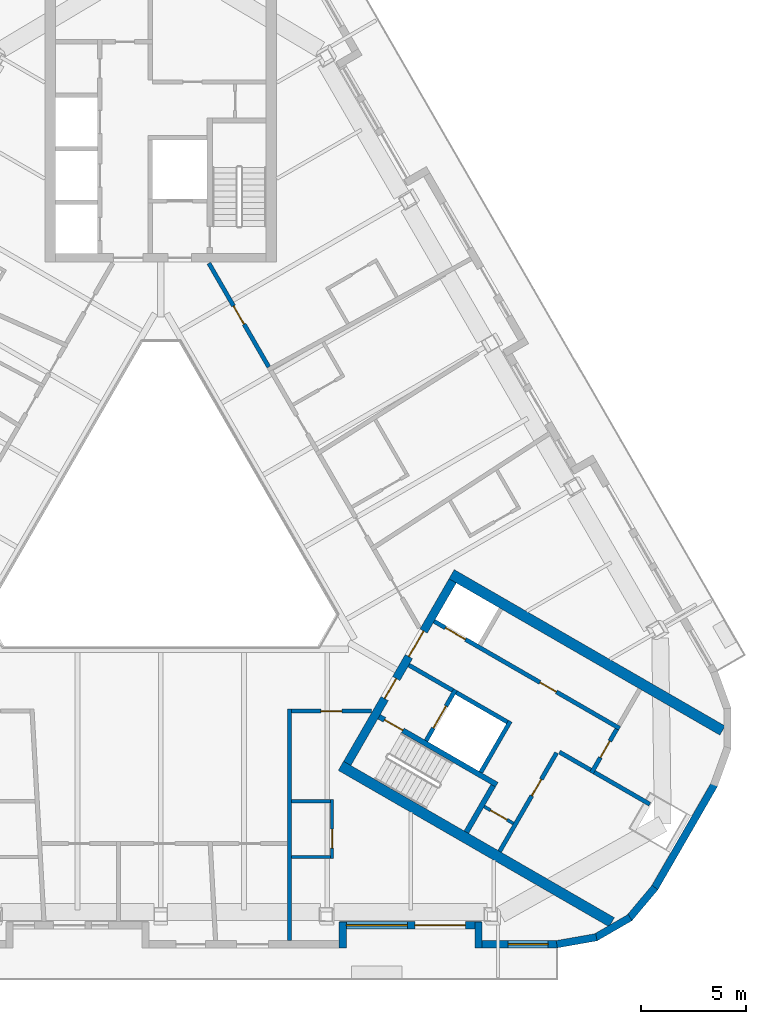
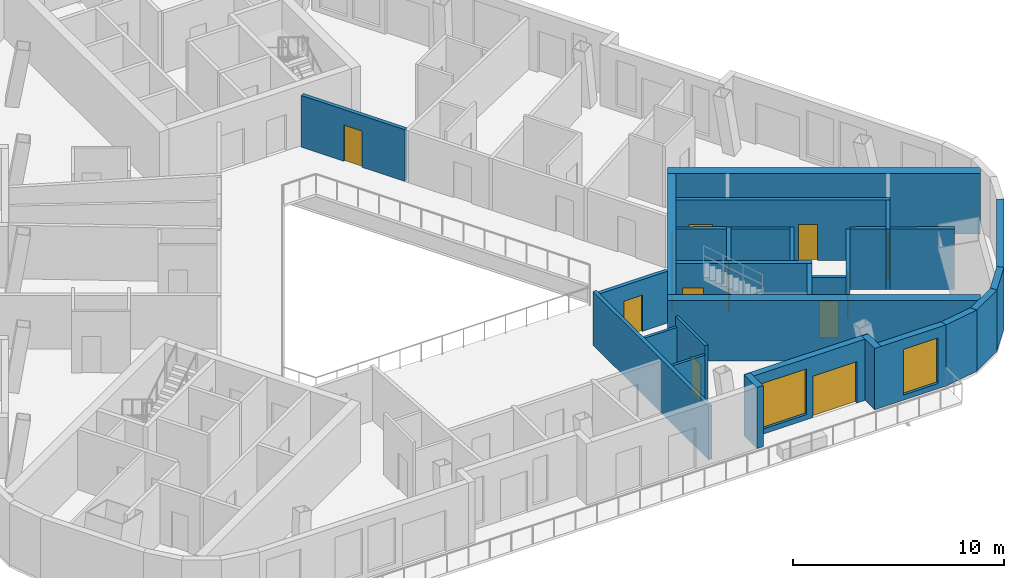
# One storey, part 5 of 14: 29 walls, 13 doors, 2 windows, 15 openings.
"""IFC4 building model written with IfcOpenShell, lengths in metres."""

from ifc_helpers import new_model, si_unit, direction, frame, frame_2d, origin, place, context, subcontext, project, spatial, rectangle, extrude, material, layer, layer_set, type_object, element, fill, save


model = new_model("IFC4")

# Units and contexts
model_context = context("Model", 3, precision=1e-05, world=origin(), true_north=direction((0.0, 1.0)))
body_context = subcontext(model_context, "Body", "Model", "MODEL_VIEW")
ifc_project = project(units=[si_unit("LENGTHUNIT", "METRE"), si_unit("AREAUNIT", "SQUARE_METRE"), si_unit("VOLUMEUNIT", "CUBIC_METRE"), si_unit("PLANEANGLEUNIT", "RADIAN"), si_unit("MASSUNIT", "GRAM", prefix="KILO")], contexts=[model_context])

# Site, building, storey
site_placement = place(None, origin())
site = spatial("IfcSite", under=ifc_project, at=site_placement, CompositionType="ELEMENT")
building_placement = place(site_placement, origin())
building = spatial("IfcBuilding", under=site, at=building_placement, Name="Apuvela Tower Hotel", CompositionType="ELEMENT")
storey_placement = place(building_placement, frame((0.0, 0.0, 254.10009765625)))
storey = spatial("IfcBuildingStorey", under=building, at=storey_placement, Name="L62", CompositionType="ELEMENT", Elevation=254.10009765625)

# Wall, openings, doors
ifc_material_1 = material(Name="Concrete C50/60", Category="concrete")
ifc_layer_1 = layer(ifc_material_1, 0.39990234375)
ifc_layer_set_1 = layer_set([ifc_layer_1], Name="COR-WALL-CORE-400")
wall_type_1 = type_object("IfcWallType", Name="COR-WALL-CORE-400", PredefinedType="SHEAR", material=ifc_layer_set_1)
wall_1_placement = place(storey_placement, frame((8.844970703125, -10.880126953125, 0.0), z_axis=(0.0, 0.0, 1.0), x_axis=(0.500004234368, 0.866022959057, 0.0)))
wall_1 = element("IfcWall", 1, at=wall_1_placement, inside=storey, type_object=wall_type_1, Name="Core wall SE", PredefinedType="SHEAR", context=body_context, shape_type="SweptSolid", body=[
    extrude(rectangle(XDim=10.0, YDim=0.39990234375, at=frame_2d((5.0, 0.0))), origin(), (0.0, 0.0, 1.0), 3.5),
])
opening_1_placement = place(wall_1_placement, frame((3.550048828125, 0.0, 0.0)))
opening_1 = element("IfcOpeningElement", 2, at=opening_1_placement, cuts=wall_1, Name="Opening E-FD", PredefinedType="OPENING", context=body_context, shape_type="SweptSolid", body=[
    extrude(rectangle(XDim=1.10009765625, YDim=2.10009765625, at=frame_2d((0.550048828125, 1.050048828125))), frame((0.0, 0.2099609375, 0.0), z_axis=(0.0, -1.0, 0.0), x_axis=(1.0, 0.0, 0.0)), (0.0, 0.0, 1.0), 0.419921875),
])
opening_2_placement = place(wall_1_placement, frame((5.85009765625, 0.0, 0.0)))
opening_2 = element("IfcOpeningElement", 3, at=opening_2_placement, cuts=wall_1, Name="Opening E-GD", PredefinedType="OPENING", context=body_context, shape_type="SweptSolid", body=[
    extrude(rectangle(XDim=1.39990234375, YDim=2.10009765625, at=frame_2d((0.699951171875, 1.050048828125))), frame((0.0, 0.2099609375, 0.0), z_axis=(0.0, -1.0, 0.0), x_axis=(1.0, 0.0, 0.0)), (0.0, 0.0, 1.0), 0.419921875),
])
ifc_material_2 = material(Name="Steel fire door, powder coated", Category="steel")
door_type_1 = type_object("IfcDoorType", Name="COR-FD-1100", OperationType="NOTDEFINED", PredefinedType="DOOR", material=ifc_material_2)
door_1_placement = place(opening_1_placement, frame((1.10009765625, 0.0, 0.0), z_axis=(0.0, 0.0, 1.0), x_axis=(-1.0, 0.0, 0.0)))
door_1 = element("IfcDoor", 4, at=door_1_placement, inside=storey, type_object=door_type_1, Name="Firefighting lobby door E-FD", OperationType="SINGLE_SWING_LEFT", OverallHeight=2.10009765625, OverallWidth=1.10009765625, PredefinedType="DOOR", context=body_context, shape_type="SweptSolid", body=[
    extrude(rectangle(XDim=1.10009765625, YDim=2.10009765625, at=frame_2d((0.550048828125, 1.050048828125))), frame((0.0, 0.02490234375, 0.0), z_axis=(0.0, -1.0, 0.0), x_axis=(1.0, 0.0, 0.0)), (0.0, 0.0, 1.0), 0.050048828125),
])
fill(opening_1, door_1)
ifc_material_3 = material(Name="Glazed steel fire door", Category="steel")
door_type_2 = type_object("IfcDoorType", Name="COR-GD-1400", OperationType="DOUBLE_DOOR_SINGLE_SWING", PredefinedType="DOOR", material=ifc_material_3)
door_2_placement = place(opening_2_placement, frame((1.39990234375, 0.0, 0.0), z_axis=(0.0, 0.0, 1.0), x_axis=(-1.0, 0.0, 0.0)))
door_2 = element("IfcDoor", 5, at=door_2_placement, inside=storey, type_object=door_type_2, Name="Lift lobby door E-GD", OperationType="DOUBLE_DOOR_SINGLE_SWING", OverallHeight=2.10009765625, OverallWidth=1.39990234375, PredefinedType="DOOR", context=body_context, shape_type="SweptSolid", body=[
    extrude(rectangle(XDim=1.39990234375, YDim=2.10009765625, at=frame_2d((0.699951171875, 1.050048828125))), frame((0.0, 0.02490234375, 0.0), z_axis=(0.0, -1.0, 0.0), x_axis=(1.0, 0.0, 0.0)), (0.0, 0.0, 1.0), 0.050048828125),
])
fill(opening_2, door_2)

# Walls
ifc_layer_2 = layer(ifc_material_1, 0.5)
ifc_layer_set_2 = layer_set([ifc_layer_2], Name="COR-WALL-CORE-500")
wall_type_2 = type_object("IfcWallType", Name="COR-WALL-CORE-500", PredefinedType="SHEAR", material=ifc_layer_set_2)
for number, where, z_axis, x_axis, name in (
    (6, (8.546630859375, -10.99658203125, 0.0), (0.0, 0.0, 1.0), (0.866025009528, -0.500000682871, 0.0), "Core wall SE"),
    (7, (13.796630859375, -1.9033203125, 0.0), (0.0, 0.0, 1.0), (0.866025009528, -0.500000682871, 0.0), "Core wall SE"),
):
    element("IfcWall", number, at=place(storey_placement, frame(where, z_axis=z_axis, x_axis=x_axis)), inside=storey, type_object=wall_type_2, Name=name, PredefinedType="SHEAR", context=body_context, shape_type="SweptSolid", body=[
        extrude(rectangle(XDim=14.8369140625, YDim=0.5, at=frame_2d((7.41845703125, 0.0))), origin(), (0.0, 0.0, 1.0), 3.5),
    ])

# Wall, opening, door
ifc_material_4 = material(Name="Blockwork 150 mm plastered", Category="masonry")
ifc_layer_3 = layer(ifc_material_4, 0.14990234375)
ifc_layer_set_3 = layer_set([ifc_layer_3], Name="COR-WALL-PART-150")
wall_type_3 = type_object("IfcWallType", Name="COR-WALL-PART-150", PredefinedType="PARTITIONING", material=ifc_layer_set_3)
wall_2_placement = place(storey_placement, frame((15.341552734375, -12.927734375, 0.0), z_axis=(0.0, 0.0, 1.0), x_axis=(0.865989903783, -0.500061482766, 0.0)))
wall_2 = element("IfcWall", 8, at=wall_2_placement, inside=storey, type_object=wall_type_3, Name="Partition SE", PredefinedType="PARTITIONING", context=body_context, shape_type="SweptSolid", body=[
    extrude(rectangle(XDim=1.599853515625, YDim=0.14990234375, at=frame_2d((0.7998046875, 0.0))), origin(), (0.0, 0.0, 1.0), 3.5),
])
opening_3_placement = place(wall_2_placement, frame((0.35009765625, 0.0, 0.0)))
opening_3 = element("IfcOpeningElement", 9, at=opening_3_placement, cuts=wall_2, Name="Opening E-RD", PredefinedType="OPENING", context=body_context, shape_type="SweptSolid", body=[
    extrude(rectangle(XDim=0.89990234375, YDim=2.10009765625, at=frame_2d((0.449951171875, 1.050048828125))), frame((0.0, 0.0849609375, 0.0), z_axis=(0.0, -1.0, 0.0), x_axis=(1.0, 0.0, 0.0)), (0.0, 0.0, 1.0), 0.169921875),
])
ifc_material_5 = material(Name="Steel access door, powder coated", Category="steel")
door_type_3 = type_object("IfcDoorType", Name="COR-RD-900", OperationType="NOTDEFINED", PredefinedType="DOOR", material=ifc_material_5)
door_3_placement = place(opening_3_placement, frame((0.89990234375, 0.0, 0.0), z_axis=(0.0, 0.0, 1.0), x_axis=(-1.0, 0.0, 0.0)))
door_3 = element("IfcDoor", 10, at=door_3_placement, inside=storey, type_object=door_type_3, Name="Riser door E-RD", OperationType="SINGLE_SWING_LEFT", OverallHeight=2.10009765625, OverallWidth=0.89990234375, PredefinedType="DOOR", context=body_context, shape_type="SweptSolid", body=[
    extrude(rectangle(XDim=0.89990234375, YDim=2.10009765625, at=frame_2d((0.449951171875, 1.050048828125))), frame((0.0, 0.02490234375, 0.0), z_axis=(0.0, -1.0, 0.0), x_axis=(1.0, 0.0, 0.0)), (0.0, 0.0, 1.0), 0.050048828125),
])
fill(opening_3, door_3)

ifc_material_6 = material(Name="Blockwork 200 mm plastered", Category="masonry")
ifc_layer_4 = layer(ifc_material_6, 0.199951171875)
ifc_layer_set_4 = layer_set([ifc_layer_4], Name="COR-WALL-PART-200")
wall_type_4 = type_object("IfcWallType", Name="COR-WALL-PART-200", PredefinedType="PARTITIONING", material=ifc_layer_set_4)
wall_3_placement = place(storey_placement, frame((16.076171875, -15.05517578125, 0.0), z_axis=(0.0, 0.0, 1.0), x_axis=(0.499995103361, 0.866028230842, 0.0)))
wall_3 = element("IfcWall", 11, at=wall_3_placement, inside=storey, type_object=wall_type_4, Name="Partition SE", PredefinedType="PARTITIONING", context=body_context, shape_type="SweptSolid", body=[
    extrude(rectangle(XDim=5.39990234375, YDim=0.199951171875, at=frame_2d((2.699951171875, 0.0))), origin(), (0.0, 0.0, 1.0), 3.5),
])
opening_4_placement = place(wall_3_placement, frame((3.050048828125, 0.0, 0.0)))
opening_4 = element("IfcOpeningElement", 12, at=opening_4_placement, cuts=wall_3, Name="Opening E-RS1", PredefinedType="OPENING", context=body_context, shape_type="SweptSolid", body=[
    extrude(rectangle(XDim=0.89990234375, YDim=2.10009765625, at=frame_2d((0.449951171875, 1.050048828125))), frame((0.0, 0.10986328125, 0.0), z_axis=(0.0, -1.0, 0.0), x_axis=(1.0, 0.0, 0.0)), (0.0, 0.0, 1.0), 0.219970703125),
])
door_type_4 = type_object("IfcDoorType", Name="COR-DR-900", OperationType="NOTDEFINED", PredefinedType="DOOR", material=ifc_material_2)
door_4_placement = place(opening_4_placement, frame((0.89990234375, 0.0, 0.0), z_axis=(0.0, 0.0, 1.0), x_axis=(-1.0, 0.0, 0.0)))
door_4 = element("IfcDoor", 13, at=door_4_placement, inside=storey, type_object=door_type_4, Name="Store door E-RS1", OperationType="SINGLE_SWING_LEFT", OverallHeight=2.10009765625, OverallWidth=0.89990234375, PredefinedType="DOOR", context=body_context, shape_type="SweptSolid", body=[
    extrude(rectangle(XDim=0.89990234375, YDim=2.10009765625, at=frame_2d((0.449951171875, 1.050048828125))), frame((0.0, 0.02490234375, 0.0), z_axis=(0.0, -1.0, 0.0), x_axis=(1.0, 0.0, 0.0)), (0.0, 0.0, 1.0), 0.050048828125),
])
fill(opening_4, door_4)

# Wall
ifc_layer_5 = layer(ifc_material_1, 0.199951171875)
ifc_layer_set_5 = layer_set([ifc_layer_5], Name="COR-WALL-SHAFT-200")
wall_type_5 = type_object("IfcWallType", Name="COR-WALL-SHAFT-200", PredefinedType="SHEAR", material=ifc_layer_set_5)
wall_4_placement = place(storey_placement, frame((15.181396484375, -11.305419921875, 0.0), z_axis=(0.0, 0.0, 1.0), x_axis=(0.49994636267, 0.866056369097, 0.0)))
element("IfcWall", 14, at=wall_4_placement, inside=storey, type_object=wall_type_5, Name="Shaft wall SE", PredefinedType="SHEAR", context=body_context, shape_type="SweptSolid", body=[
    extrude(rectangle(XDim=2.800048828125, YDim=0.199951171875, at=frame_2d((1.39990234375, 0.0))), origin(), (0.0, 0.0, 1.0), 3.5),
])

# Wall, opening, door
wall_5_placement = place(storey_placement, frame((12.583251953125, -9.805419921875, 0.0), z_axis=(0.0, 0.0, 1.0), x_axis=(0.49994636267, 0.866056369097, 0.0)))
wall_5 = element("IfcWall", 15, at=wall_5_placement, inside=storey, type_object=wall_type_5, Name="Shaft wall SE", PredefinedType="SHEAR", context=body_context, shape_type="SweptSolid", body=[
    extrude(rectangle(XDim=2.800048828125, YDim=0.199951171875, at=frame_2d((1.39990234375, 0.0))), origin(), (0.0, 0.0, 1.0), 3.5),
])
opening_5_placement = place(wall_5_placement, frame((0.699951171875, 0.0, 0.0)))
opening_5 = element("IfcOpeningElement", 16, at=opening_5_placement, cuts=wall_5, Name="Opening E-LD-FS3", PredefinedType="OPENING", context=body_context, shape_type="SweptSolid", body=[
    extrude(rectangle(XDim=1.199951171875, YDim=2.10009765625, at=frame_2d((0.60009765625, 1.050048828125))), frame((0.0, 0.10986328125, 0.0), z_axis=(0.0, -1.0, 0.0), x_axis=(1.0, 0.0, 0.0)), (0.0, 0.0, 1.0), 0.219970703125),
])
ifc_material_7 = material(Name="Stainless steel lift landing door", Category="steel")
door_type_5 = type_object("IfcDoorType", Name="COR-LD-1200", OperationType="DOUBLE_DOOR_SLIDING", PredefinedType="DOOR", material=ifc_material_7)
door_5_placement = place(opening_5_placement, origin())
door_5 = element("IfcDoor", 17, at=door_5_placement, inside=storey, type_object=door_type_5, Name="Lift landing door E-LD-FS3", OperationType="DOUBLE_DOOR_SLIDING", OverallHeight=2.10009765625, OverallWidth=1.199951171875, PredefinedType="DOOR", context=body_context, shape_type="SweptSolid", body=[
    extrude(rectangle(XDim=1.199951171875, YDim=2.10009765625, at=frame_2d((0.60009765625, 1.050048828125))), frame((0.0, 0.02490234375, 0.0), z_axis=(0.0, -1.0, 0.0), x_axis=(1.0, 0.0, 0.0)), (0.0, 0.0, 1.0), 0.050048828125),
])
fill(opening_5, door_5)

# Walls
wall_6_placement = place(storey_placement, frame((11.76806640625, -6.217041015625, 0.0), z_axis=(0.0, 0.0, 1.0), x_axis=(0.866050077142, -0.499957262057, 0.0)))
element("IfcWall", 18, at=wall_6_placement, inside=storey, type_object=wall_type_5, Name="Shaft wall SE", PredefinedType="SHEAR", context=body_context, shape_type="SweptSolid", body=[
    extrude(rectangle(XDim=2.400146484375, YDim=0.199951171875, at=frame_2d((1.2001953125, 0.0))), origin(), (0.0, 0.0, 1.0), 3.5),
])
wall_7_placement = place(storey_placement, frame((14.019775390625, -7.51708984375, 0.0), z_axis=(0.0, 0.0, 1.0), x_axis=(0.866034573852, -0.49998411664, 0.0)))
element("IfcWall", 19, at=wall_7_placement, inside=storey, type_object=wall_type_5, Name="Shaft wall SE", PredefinedType="SHEAR", context=body_context, shape_type="SweptSolid", body=[
    extrude(rectangle(XDim=2.7998046875, YDim=0.199951171875, at=frame_2d((1.39990234375, 0.0))), origin(), (0.0, 0.0, 1.0), 3.5),
])

# Wall, openings, doors
wall_8_placement = place(storey_placement, frame((12.968017578125, -4.138427734375, 0.0), z_axis=(0.0, 0.0, 1.0), x_axis=(0.866028328073, -0.49999493495, 0.0)))
wall_8 = element("IfcWall", 20, at=wall_8_placement, inside=storey, type_object=wall_type_5, Name="Shaft wall SE", PredefinedType="SHEAR", context=body_context, shape_type="SweptSolid", body=[
    extrude(rectangle(XDim=10.16015625, YDim=0.199951171875, at=frame_2d((5.080078125, 0.0))), origin(), (0.0, 0.0, 1.0), 3.5),
])
opening_6_placement = place(wall_8_placement, frame((0.6201171875, 0.0, 0.0)))
opening_6 = element("IfcOpeningElement", 21, at=opening_6_placement, cuts=wall_8, Name="Opening E-LD-HR3", PredefinedType="OPENING", context=body_context, shape_type="SweptSolid", body=[
    extrude(rectangle(XDim=1.10009765625, YDim=2.10009765625, at=frame_2d((0.550048828125, 1.050048828125))), frame((0.0, 0.10986328125, 0.0), z_axis=(0.0, -1.0, 0.0), x_axis=(1.0, 0.0, 0.0)), (0.0, 0.0, 1.0), 0.219970703125),
])
opening_7_placement = place(wall_8_placement, frame((5.800048828125, 0.0, 0.0)))
opening_7 = element("IfcOpeningElement", 22, at=opening_7_placement, cuts=wall_8, Name="Opening E-RE2", PredefinedType="OPENING", context=body_context, shape_type="SweptSolid", body=[
    extrude(rectangle(XDim=0.89990234375, YDim=2.10009765625, at=frame_2d((0.449951171875, 1.050048828125))), frame((0.0, 0.10986328125, 0.0), z_axis=(0.0, -1.0, 0.0), x_axis=(1.0, 0.0, 0.0)), (0.0, 0.0, 1.0), 0.219970703125),
])
door_6_placement = place(opening_7_placement, origin())
door_6 = element("IfcDoor", 23, at=door_6_placement, inside=storey, type_object=door_type_4, Name="Store door E-RE2", OperationType="SINGLE_SWING_LEFT", OverallHeight=2.10009765625, OverallWidth=0.89990234375, PredefinedType="DOOR", context=body_context, shape_type="SweptSolid", body=[
    extrude(rectangle(XDim=0.89990234375, YDim=2.10009765625, at=frame_2d((0.449951171875, 1.050048828125))), frame((0.0, 0.02490234375, 0.0), z_axis=(0.0, -1.0, 0.0), x_axis=(1.0, 0.0, 0.0)), (0.0, 0.0, 1.0), 0.050048828125),
])
fill(opening_7, door_6)
door_type_6 = type_object("IfcDoorType", Name="COR-LD-1100", OperationType="DOUBLE_DOOR_SLIDING", PredefinedType="DOOR", material=ifc_material_7)
door_7_placement = place(opening_6_placement, origin())
door_7 = element("IfcDoor", 24, at=door_7_placement, inside=storey, type_object=door_type_6, Name="Lift landing door E-LD-HR3", OperationType="DOUBLE_DOOR_SLIDING", OverallHeight=2.10009765625, OverallWidth=1.10009765625, PredefinedType="DOOR", context=body_context, shape_type="SweptSolid", body=[
    extrude(rectangle(XDim=1.10009765625, YDim=2.10009765625, at=frame_2d((0.550048828125, 1.050048828125))), frame((0.0, 0.02490234375, 0.0), z_axis=(0.0, -1.0, 0.0), x_axis=(1.0, 0.0, 0.0)), (0.0, 0.0, 1.0), 0.050048828125),
])
fill(opening_6, door_7)

# Wall, opening, door
wall_9_placement = place(storey_placement, frame((20.430419921875, -11.33349609375, 0.0), z_axis=(0.0, 0.0, 1.0), x_axis=(0.500001309137, 0.866024647952, 0.0)))
wall_9 = element("IfcWall", 25, at=wall_9_placement, inside=storey, type_object=wall_type_5, Name="Shaft wall SE", PredefinedType="SHEAR", context=body_context, shape_type="SweptSolid", body=[
    extrude(rectangle(XDim=2.39990234375, YDim=0.199951171875, at=frame_2d((1.199951171875, 0.0))), origin(), (0.0, 0.0, 1.0), 3.5),
])
opening_8_placement = place(wall_9_placement, frame((0.85009765625, 0.0, 0.0)))
opening_8 = element("IfcOpeningElement", 26, at=opening_8_placement, cuts=wall_9, Name="Opening E-REP", PredefinedType="OPENING", context=body_context, shape_type="SweptSolid", body=[
    extrude(rectangle(XDim=0.89990234375, YDim=2.10009765625, at=frame_2d((0.449951171875, 1.050048828125))), frame((0.0, 0.10986328125, 0.0), z_axis=(0.0, -1.0, 0.0), x_axis=(1.0, 0.0, 0.0)), (0.0, 0.0, 1.0), 0.219970703125),
])
door_8_placement = place(opening_8_placement, frame((0.89990234375, 0.0, 0.0), z_axis=(0.0, 0.0, 1.0), x_axis=(-1.0, 0.0, 0.0)))
door_8 = element("IfcDoor", 27, at=door_8_placement, inside=storey, type_object=door_type_4, Name="Store door E-REP", OperationType="SINGLE_SWING_RIGHT", OverallHeight=2.10009765625, OverallWidth=0.89990234375, PredefinedType="DOOR", context=body_context, shape_type="SweptSolid", body=[
    extrude(rectangle(XDim=0.89990234375, YDim=2.10009765625, at=frame_2d((0.449951171875, 1.050048828125))), frame((0.0, 0.02490234375, 0.0), z_axis=(0.0, -1.0, 0.0), x_axis=(1.0, 0.0, 0.0)), (0.0, 0.0, 1.0), 0.050048828125),
])
fill(opening_8, door_8)

# Walls
wall_10_placement = place(storey_placement, frame((18.912841796875, -10.342041015625, 0.0), z_axis=(0.0, 0.0, 1.0), x_axis=(0.866038183914, -0.499977863513, 0.0)))
element("IfcWall", 28, at=wall_10_placement, inside=storey, type_object=wall_type_5, Name="Shaft wall SE", PredefinedType="SHEAR", context=body_context, shape_type="SweptSolid", body=[
    extrude(rectangle(XDim=1.7099609375, YDim=0.199951171875, at=frame_2d((0.85498046875, 0.0))), origin(), (0.0, 0.0, 1.0), 3.5),
])
wall_11_placement = place(storey_placement, frame((20.56689453125, -11.297119140625, 0.0), z_axis=(0.0, 0.0, 1.0), x_axis=(0.866065229334, -0.49993101378, 0.0)))
element("IfcWall", 29, at=wall_11_placement, inside=storey, type_object=wall_type_5, Name="Shaft wall SE", PredefinedType="SHEAR", context=body_context, shape_type="SweptSolid", body=[
    extrude(rectangle(XDim=3.0400390625, YDim=0.199951171875, at=frame_2d((1.52001953125, 0.0))), origin(), (0.0, 0.0, 1.0), 3.5),
])

# Wall, opening, door
ifc_layer_6 = layer(ifc_material_1, 0.25)
ifc_layer_set_6 = layer_set([ifc_layer_6], Name="COR-WALL-STAIR-250")
wall_type_6 = type_object("IfcWallType", Name="COR-WALL-STAIR-250", PredefinedType="SHEAR", material=ifc_layer_set_6)
wall_12_placement = place(storey_placement, frame((10.355712890625, -8.66357421875, 0.0), z_axis=(0.0, 0.0, 1.0), x_axis=(0.866028629588, -0.499994412703, 0.0)))
wall_12 = element("IfcWall", 30, at=wall_12_placement, inside=storey, type_object=wall_type_6, Name="Stair wall SE", PredefinedType="SHEAR", context=body_context, shape_type="SweptSolid", body=[
    extrude(rectangle(XDim=6.44970703125, YDim=0.25, at=frame_2d((3.224853515625, 0.0))), origin(), (0.0, 0.0, 1.0), 3.5),
])
opening_9_placement = place(wall_12_placement, frame((0.300048828125, 0.0, 0.0)))
opening_9 = element("IfcOpeningElement", 31, at=opening_9_placement, cuts=wall_12, Name="Opening E-SD", PredefinedType="OPENING", context=body_context, shape_type="SweptSolid", body=[
    extrude(rectangle(XDim=1.0, YDim=2.10009765625, at=frame_2d((0.5, 1.050048828125))), frame((0.0, 0.135009765625, 0.0), z_axis=(0.0, -1.0, 0.0), x_axis=(1.0, 0.0, 0.0)), (0.0, 0.0, 1.0), 0.27001953125),
])
door_type_7 = type_object("IfcDoorType", Name="COR-SD-1000", OperationType="NOTDEFINED", PredefinedType="DOOR", material=ifc_material_2)
door_9_placement = place(opening_9_placement, frame((1.0, 0.0, 0.0), z_axis=(0.0, 0.0, 1.0), x_axis=(-1.0, 0.0, 0.0)))
door_9 = element("IfcDoor", 32, at=door_9_placement, inside=storey, type_object=door_type_7, Name="Stair door E-SD", OperationType="SINGLE_SWING_LEFT", OverallHeight=2.10009765625, OverallWidth=1.0, PredefinedType="DOOR", context=body_context, shape_type="SweptSolid", body=[
    extrude(rectangle(XDim=1.0, YDim=2.10009765625, at=frame_2d((0.5, 1.050048828125))), frame((0.0, 0.02490234375, 0.0), z_axis=(0.0, -1.0, 0.0), x_axis=(1.0, 0.0, 0.0)), (0.0, 0.0, 1.0), 0.050048828125),
])
fill(opening_9, door_9)

# Walls
wall_13_placement = place(storey_placement, frame((14.49560546875, -14.142578125, 0.0), z_axis=(0.0, 0.0, 1.0), x_axis=(0.500062241894, 0.865989465428, 0.0)))
element("IfcWall", 33, at=wall_13_placement, inside=storey, type_object=wall_type_6, Name="Stair wall SE", PredefinedType="SHEAR", context=body_context, shape_type="SweptSolid", body=[
    extrude(rectangle(XDim=2.550048828125, YDim=0.25, at=frame_2d((1.27490234375, 0.0))), origin(), (0.0, 0.0, 1.0), 3.5),
])
ifc_material_8 = material(Name="Concrete C40/50, dark pigmented precast panel", Category="concrete")
ifc_layer_7 = layer(ifc_material_8, 0.35009765625)
ifc_layer_set_7 = layer_set([ifc_layer_7], Name="ENV-WALL-350")
wall_type_7 = type_object("IfcWallType", Name="ENV-WALL-350", PredefinedType="SOLIDWALL", material=ifc_layer_set_7)
wall_14_placement = place(storey_placement, frame((8.625, -19.6298828125, 0.0), z_axis=(0.0, 0.0, 1.0), x_axis=(0.0, 1.0, 0.0)))
element("IfcWall", 34, at=wall_14_placement, inside=storey, type_object=wall_type_7, Name="External wall L62-22", PredefinedType="SOLIDWALL", context=body_context, shape_type="SweptSolid", body=[
    extrude(rectangle(XDim=1.219970703125, YDim=0.35009765625, at=frame_2d((0.60986328125, 0.0))), origin(), (0.0, 0.0, 1.0), 3.5498046875),
])

# Wall, openings, door, window
wall_15_placement = place(storey_placement, frame((8.47998046875, -18.554931640625, 0.0), z_axis=(0.0, 0.0, 1.0), x_axis=(1.0, 0.0, 0.0)))
wall_15 = element("IfcWall", 35, at=wall_15_placement, inside=storey, type_object=wall_type_7, Name="External wall L62-23", PredefinedType="SOLIDWALL", context=body_context, shape_type="SweptSolid", body=[
    extrude(rectangle(XDim=6.739990234375, YDim=0.35009765625, at=frame_2d((3.3701171875, 0.0))), origin(), (0.0, 0.0, 1.0), 3.5498046875),
])
opening_10_placement = place(wall_15_placement, frame((3.570068359375, 0.0, 0.0)))
opening_10 = element("IfcOpeningElement", 36, at=opening_10_placement, cuts=wall_15, Name="Opening BD24", PredefinedType="OPENING", context=body_context, shape_type="SweptSolid", body=[
    extrude(rectangle(XDim=2.39990234375, YDim=2.39990234375, at=frame_2d((1.199951171875, 1.199951171875))), frame((0.0, 0.18505859375, 0.0), z_axis=(0.0, -1.0, 0.0), x_axis=(1.0, 0.0, 0.0)), (0.0, 0.0, 1.0), 0.3701171875),
])
opening_11_placement = place(wall_15_placement, frame((0.3203125, 0.0, 0.300048828125)))
opening_11 = element("IfcOpeningElement", 37, at=opening_11_placement, cuts=wall_15, Name="Opening WN29", PredefinedType="OPENING", context=body_context, shape_type="SweptSolid", body=[
    extrude(rectangle(XDim=2.89990234375, YDim=2.64990234375, at=frame_2d((1.449951171875, 1.324951171875))), frame((0.0, 0.18505859375, 0.0), z_axis=(0.0, -1.0, 0.0), x_axis=(1.0, 0.0, 0.0)), (0.0, 0.0, 1.0), 0.3701171875),
])
ifc_material_9 = material(Name="Aluminium 6063-T6, dark bronze anodised frame with dark tinted laminated glass", Category="aluminium")
door_type_8 = type_object("IfcDoorType", Name="ENV-DOOR-BALCONY-2400x2400", OperationType="SLIDING_TO_LEFT", PredefinedType="DOOR", material=ifc_material_9)
door_10_placement = place(opening_10_placement, frame((2.39990234375, 0.0, 0.0), z_axis=(0.0, 0.0, 1.0), x_axis=(-1.0, 0.0, 0.0)))
door_10 = element("IfcDoor", 38, at=door_10_placement, inside=storey, type_object=door_type_8, Name="Balcony door BD24", OperationType="SLIDING_TO_LEFT", OverallHeight=2.39990234375, OverallWidth=2.39990234375, PredefinedType="DOOR", context=body_context, shape_type="SweptSolid", body=[
    extrude(rectangle(XDim=2.39990234375, YDim=2.39990234375, at=frame_2d((1.199951171875, 1.199951171875))), frame((0.0, 0.02490234375, 0.0), z_axis=(0.0, -1.0, 0.0), x_axis=(1.0, 0.0, 0.0)), (0.0, 0.0, 1.0), 0.050048828125),
])
fill(opening_10, door_10)
ifc_material_10 = material(Name="Glass, dark tinted laminated insulated glazing unit", Category="glass")
window_type_1 = type_object("IfcWindowType", Name="ENV-WIN-2900x2650", PartitioningType="SINGLE_PANEL", PredefinedType="WINDOW", material=ifc_material_10)
window_1_placement = place(opening_11_placement, origin())
window_1 = element("IfcWindow", 39, at=window_1_placement, inside=storey, type_object=window_type_1, Name="Window WN29", OverallHeight=2.64990234375, OverallWidth=2.89990234375, PartitioningType="SINGLE_PANEL", PredefinedType="WINDOW", context=body_context, shape_type="SweptSolid", body=[
    extrude(rectangle(XDim=2.89990234375, YDim=2.64990234375, at=frame_2d((1.449951171875, 1.324951171875))), frame((0.0, 0.030029296875, 0.0), z_axis=(0.0, -1.0, 0.0), x_axis=(1.0, 0.0, 0.0)), (0.0, 0.0, 1.0), 0.06005859375),
])
fill(opening_11, window_1)

# Wall
wall_16_placement = place(storey_placement, frame((15.074951171875, -18.409912109375, 0.0), z_axis=(0.0, 0.0, 1.0), x_axis=(0.0, -1.0, 0.0)))
element("IfcWall", 40, at=wall_16_placement, inside=storey, type_object=wall_type_7, Name="External wall L62-24", PredefinedType="SOLIDWALL", context=body_context, shape_type="SweptSolid", body=[
    extrude(rectangle(XDim=1.219970703125, YDim=0.35009765625, at=frame_2d((0.60986328125, 0.0))), origin(), (0.0, 0.0, 1.0), 3.5498046875),
])

# Wall, opening, window
wall_17_placement = place(storey_placement, frame((14.89990234375, -19.455078125, 0.0), z_axis=(0.0, 0.0, 1.0), x_axis=(1.0, 0.0, 0.0)))
wall_17 = element("IfcWall", 41, at=wall_17_placement, inside=storey, type_object=wall_type_7, Name="External wall L62-25", PredefinedType="SOLIDWALL", context=body_context, shape_type="SweptSolid", body=[
    extrude(rectangle(XDim=3.916015625, YDim=0.35009765625, at=frame_2d((1.9580078125, 0.0))), origin(), (0.0, 0.0, 1.0), 3.5498046875),
])
opening_12_placement = place(wall_17_placement, frame((1.580810546875, 0.0, 0.300048828125)))
opening_12 = element("IfcOpeningElement", 42, at=opening_12_placement, cuts=wall_17, Name="Opening WN19", PredefinedType="OPENING", context=body_context, shape_type="SweptSolid", body=[
    extrude(rectangle(XDim=1.89990234375, YDim=2.64990234375, at=frame_2d((0.949951171875, 1.324951171875))), frame((0.0, 0.18505859375, 0.0), z_axis=(0.0, -1.0, 0.0), x_axis=(1.0, 0.0, 0.0)), (0.0, 0.0, 1.0), 0.3701171875),
])
window_type_2 = type_object("IfcWindowType", Name="ENV-WIN-1900x2650", PartitioningType="SINGLE_PANEL", PredefinedType="WINDOW", material=ifc_material_10)
window_2_placement = place(opening_12_placement, origin())
window_2 = element("IfcWindow", 43, at=window_2_placement, inside=storey, type_object=window_type_2, Name="Window WN19", OverallHeight=2.64990234375, OverallWidth=1.89990234375, PartitioningType="SINGLE_PANEL", PredefinedType="WINDOW", context=body_context, shape_type="SweptSolid", body=[
    extrude(rectangle(XDim=1.89990234375, YDim=2.64990234375, at=frame_2d((0.949951171875, 1.324951171875))), frame((0.0, 0.030029296875, 0.0), z_axis=(0.0, -1.0, 0.0), x_axis=(1.0, 0.0, 0.0)), (0.0, 0.0, 1.0), 0.06005859375),
])
fill(opening_12, window_2)

# Walls
wall_18_placement = place(storey_placement, frame((18.785400390625, -19.457763671875, 0.0), z_axis=(0.0, 0.0, 1.0), x_axis=(0.984798995425, 0.173697837091, 0.0)))
element("IfcWall", 44, at=wall_18_placement, inside=storey, type_object=wall_type_7, Name="External wall L62-26", PredefinedType="SOLIDWALL", context=body_context, shape_type="SweptSolid", body=[
    extrude(rectangle(XDim=1.91015625, YDim=0.35009765625, at=frame_2d((0.955078125, 0.0))), origin(), (0.0, 0.0, 1.0), 3.5498046875),
])
for number, where, z_axis, x_axis, name in (
    (45, (20.609619140625, -19.146728515625, 0.0), (0.0, 0.0, 1.0), (0.866000389056, 0.500043324278, 0.0), "External wall L62-27"),
    (46, (22.21728515625, -18.230712890625, 0.0), (0.0, 0.0, 1.0), (0.642733291068, 0.76609001857, 0.0), "External wall L62-28"),
):
    element("IfcWall", number, at=place(storey_placement, frame(where, z_axis=z_axis, x_axis=x_axis)), inside=storey, type_object=wall_type_7, Name=name, PredefinedType="SOLIDWALL", context=body_context, shape_type="SweptSolid", body=[
        extrude(rectangle(XDim=1.909912109375, YDim=0.35009765625, at=frame_2d((0.955078125, 0.0))), origin(), (0.0, 0.0, 1.0), 3.5498046875),
    ])
wall_19_placement = place(storey_placement, frame((23.427490234375, -16.79248046875, 0.0), z_axis=(0.0, 0.0, 1.0), x_axis=(0.500018773155, 0.866014564827, 0.0)))
element("IfcWall", 47, at=wall_19_placement, inside=storey, type_object=wall_type_7, Name="External wall L62-29", PredefinedType="SOLIDWALL", context=body_context, shape_type="SweptSolid", body=[
    extrude(rectangle(XDim=5.657958984375, YDim=0.35009765625, at=frame_2d((2.8291015625, 0.0))), origin(), (0.0, 0.0, 1.0), 3.5498046875),
])
ifc_material_11 = material(Name="Gypsum board partition on twin steel stud", Category="steel")
ifc_layer_8 = layer(ifc_material_11, 0.199951171875)
ifc_layer_set_8 = layer_set([ifc_layer_8], Name="GST-PW1")
wall_type_8 = type_object("IfcWallType", Name="GST-PW1", PredefinedType="PARTITIONING", material=ifc_layer_set_8)
wall_20_placement = place(storey_placement, frame((6.10009765625, -19.280029296875, 0.0), z_axis=(0.0, 0.0, 1.0), x_axis=(0.0, 1.0, 0.0)))
element("IfcWall", 48, at=wall_20_placement, inside=storey, type_object=wall_type_8, Name="L62 partition 04", PredefinedType="PARTITIONING", context=body_context, shape_type="SweptSolid", body=[
    extrude(rectangle(XDim=10.97998046875, YDim=0.199951171875, at=frame_2d((5.489990234375, 0.0))), origin(), (0.0, 0.0, 1.0), 3.099853515625),
])

# Wall, opening, door
ifc_material_12 = material(Name="Gypsum board corridor wall on twin steel stud, acoustic", Category="steel")
ifc_layer_9 = layer(ifc_material_12, 0.199951171875)
ifc_layer_set_9 = layer_set([ifc_layer_9], Name="GST-PW2")
wall_type_9 = type_object("IfcWallType", Name="GST-PW2", PredefinedType="PARTITIONING", material=ifc_layer_set_9)
wall_21_placement = place(storey_placement, frame((9.98828125, -8.39990234375, 0.0), z_axis=(0.0, 0.0, 1.0), x_axis=(-1.0, 0.0, 0.0)))
wall_21 = element("IfcWall", 49, at=wall_21_placement, inside=storey, type_object=wall_type_9, Name="L62 partition 18", PredefinedType="PARTITIONING", context=body_context, shape_type="SweptSolid", body=[
    extrude(rectangle(XDim=3.788330078125, YDim=0.199951171875, at=frame_2d((1.89404296875, 0.0))), origin(), (0.0, 0.0, 1.0), 3.0),
])
opening_13_placement = place(wall_21_placement, frame((1.39404296875, 0.0, 0.0)))
opening_13 = element("IfcOpeningElement", 50, at=opening_13_placement, cuts=wall_21, Name="Opening GD24-07", PredefinedType="OPENING", context=body_context, shape_type="SweptSolid", body=[
    extrude(rectangle(XDim=1.0, YDim=2.10009765625, at=frame_2d((0.5, 1.050048828125))), frame((0.0, 0.10986328125, 0.0), z_axis=(0.0, -1.0, 0.0), x_axis=(1.0, 0.0, 0.0)), (0.0, 0.0, 1.0), 0.219970703125),
])
ifc_material_13 = material(Name="Timber door leaf in steel frame", Category="steel")
door_type_9 = type_object("IfcDoorType", Name="GST-D1", OperationType="NOTDEFINED", PredefinedType="DOOR", material=ifc_material_13)
door_11_placement = place(opening_13_placement, origin())
door_11 = element("IfcDoor", 51, at=door_11_placement, inside=storey, type_object=door_type_9, Name="Door L62-07", OperationType="SINGLE_SWING_RIGHT", OverallHeight=2.10009765625, OverallWidth=1.0, PredefinedType="DOOR", context=body_context, shape_type="SweptSolid", body=[
    extrude(rectangle(XDim=1.0, YDim=2.10009765625, at=frame_2d((0.5, 1.050048828125))), frame((0.0, 0.02490234375, 0.0), z_axis=(0.0, -1.0, 0.0), x_axis=(1.0, 0.0, 0.0)), (0.0, 0.0, 1.0), 0.050048828125),
])
fill(opening_13, door_11)

wall_22_placement = place(storey_placement, frame((2.280517578125, 12.85009765625, 0.0), z_axis=(0.0, 0.0, 1.0), x_axis=(0.499962807305, -0.866046875932, 0.0)))
wall_22 = element("IfcWall", 52, at=wall_22_placement, inside=storey, type_object=wall_type_9, Name="L62 partition 32", PredefinedType="PARTITIONING", context=body_context, shape_type="SweptSolid", body=[
    extrude(rectangle(XDim=5.68603515625, YDim=0.199951171875, at=frame_2d((2.843017578125, 0.0))), origin(), (0.0, 0.0, 1.0), 3.0),
])
opening_14_placement = place(wall_22_placement, frame((2.343017578125, 0.0, 0.0)))
opening_14 = element("IfcOpeningElement", 53, at=opening_14_placement, cuts=wall_22, Name="Opening GD24-15", PredefinedType="OPENING", context=body_context, shape_type="SweptSolid", body=[
    extrude(rectangle(XDim=1.0, YDim=2.10009765625, at=frame_2d((0.5, 1.050048828125))), frame((0.0, 0.10986328125, 0.0), z_axis=(0.0, -1.0, 0.0), x_axis=(1.0, 0.0, 0.0)), (0.0, 0.0, 1.0), 0.219970703125),
])
door_12_placement = place(opening_14_placement, origin())
door_12 = element("IfcDoor", 54, at=door_12_placement, inside=storey, type_object=door_type_9, Name="Door L62-15", OperationType="SINGLE_SWING_RIGHT", OverallHeight=2.10009765625, OverallWidth=1.0, PredefinedType="DOOR", context=body_context, shape_type="SweptSolid", body=[
    extrude(rectangle(XDim=1.0, YDim=2.10009765625, at=frame_2d((0.5, 1.050048828125))), frame((0.0, 0.02490234375, 0.0), z_axis=(0.0, -1.0, 0.0), x_axis=(1.0, 0.0, 0.0)), (0.0, 0.0, 1.0), 0.050048828125),
])
fill(opening_14, door_12)

ifc_material_14 = material(Name="Moisture-resistant gypsum board wet wall on steel stud", Category="steel")
ifc_layer_10 = layer(ifc_material_14, 0.14990234375)
ifc_layer_set_10 = layer_set([ifc_layer_10], Name="GST-PW3")
wall_type_10 = type_object("IfcWallType", Name="GST-PW3", PredefinedType="PARTITIONING", material=ifc_layer_set_10)
wall_23_placement = place(storey_placement, frame((8.125, -15.39990234375, 0.0), z_axis=(0.0, 0.0, 1.0), x_axis=(0.0, 1.0, 0.0)))
wall_23 = element("IfcWall", 55, at=wall_23_placement, inside=storey, type_object=wall_type_10, Name="L62 partition 19", PredefinedType="PARTITIONING", context=body_context, shape_type="SweptSolid", body=[
    extrude(rectangle(XDim=2.7998046875, YDim=0.14990234375, at=frame_2d((1.39990234375, 0.0))), origin(), (0.0, 0.0, 1.0), 3.5498046875),
])
opening_15_placement = place(wall_23_placement, frame((0.5, 0.0, 0.0)))
opening_15 = element("IfcOpeningElement", 56, at=opening_15_placement, cuts=wall_23, Name="Opening GD24-06", PredefinedType="OPENING", context=body_context, shape_type="SweptSolid", body=[
    extrude(rectangle(XDim=0.89990234375, YDim=2.10009765625, at=frame_2d((0.449951171875, 1.050048828125))), frame((0.0, 0.0849609375, 0.0), z_axis=(0.0, -1.0, 0.0), x_axis=(1.0, 0.0, 0.0)), (0.0, 0.0, 1.0), 0.169921875),
])
door_type_10 = type_object("IfcDoorType", Name="GST-D2", OperationType="NOTDEFINED", PredefinedType="DOOR", material=ifc_material_13)
door_13_placement = place(opening_15_placement, origin())
door_13 = element("IfcDoor", 57, at=door_13_placement, inside=storey, type_object=door_type_10, Name="Door L62-06", OperationType="SINGLE_SWING_LEFT", OverallHeight=2.10009765625, OverallWidth=0.89990234375, PredefinedType="DOOR", context=body_context, shape_type="SweptSolid", body=[
    extrude(rectangle(XDim=0.89990234375, YDim=2.10009765625, at=frame_2d((0.449951171875, 1.050048828125))), frame((0.0, 0.02490234375, 0.0), z_axis=(0.0, -1.0, 0.0), x_axis=(1.0, 0.0, 0.0)), (0.0, 0.0, 1.0), 0.050048828125),
])
fill(opening_15, door_13)

# Walls
for number, where, z_axis, x_axis, name in (
    (58, (6.199951171875, -15.324951171875, 0.0), (0.0, 0.0, 1.0), (1.0, 0.0, 0.0), "L62 partition 20"),
    (59, (6.199951171875, -12.675048828125, 0.0), (0.0, 0.0, 1.0), (1.0, 0.0, 0.0), "L62 partition 21"),
):
    element("IfcWall", number, at=place(storey_placement, frame(where, z_axis=z_axis, x_axis=x_axis)), inside=storey, type_object=wall_type_10, Name=name, PredefinedType="PARTITIONING", context=body_context, shape_type="SweptSolid", body=[
        extrude(rectangle(XDim=1.85009765625, YDim=0.14990234375, at=frame_2d((0.925048828125, 0.0))), origin(), (0.0, 0.0, 1.0), 3.0),
    ])

save(model, "model.ifc")
